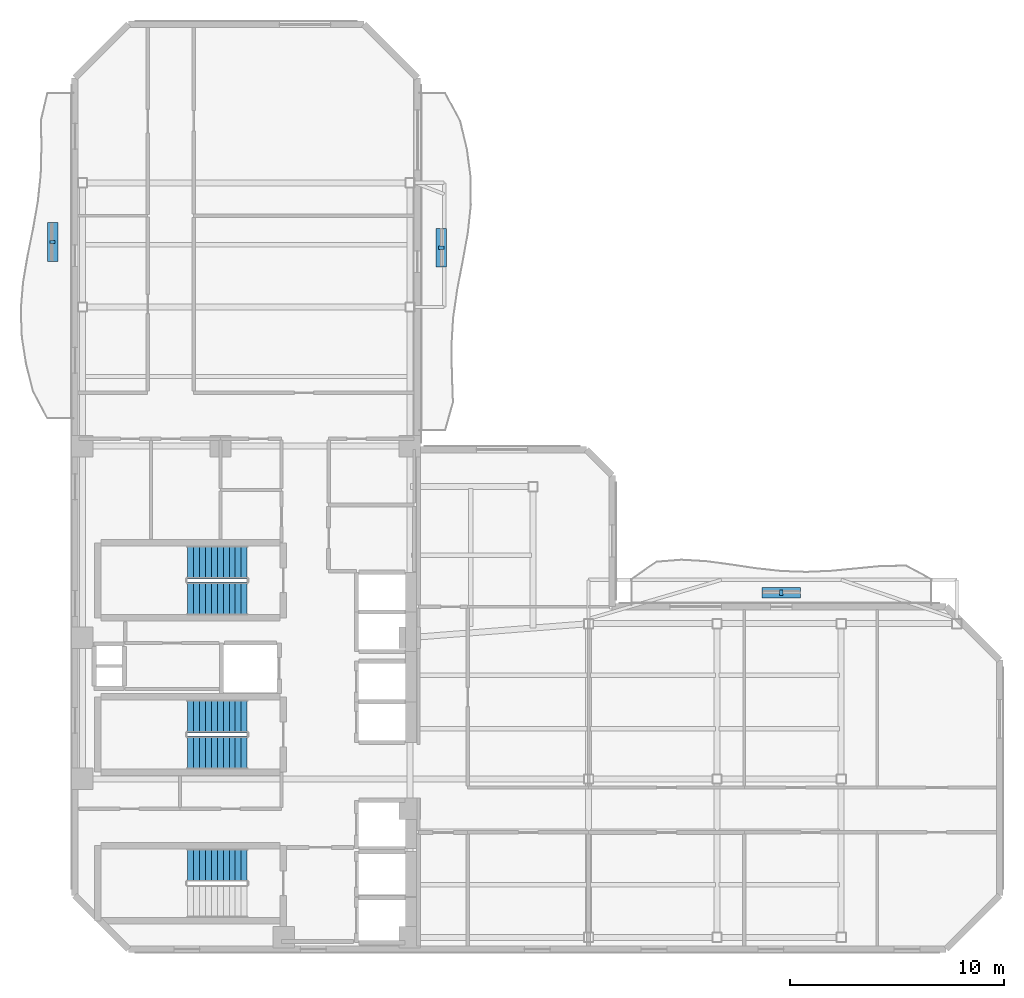
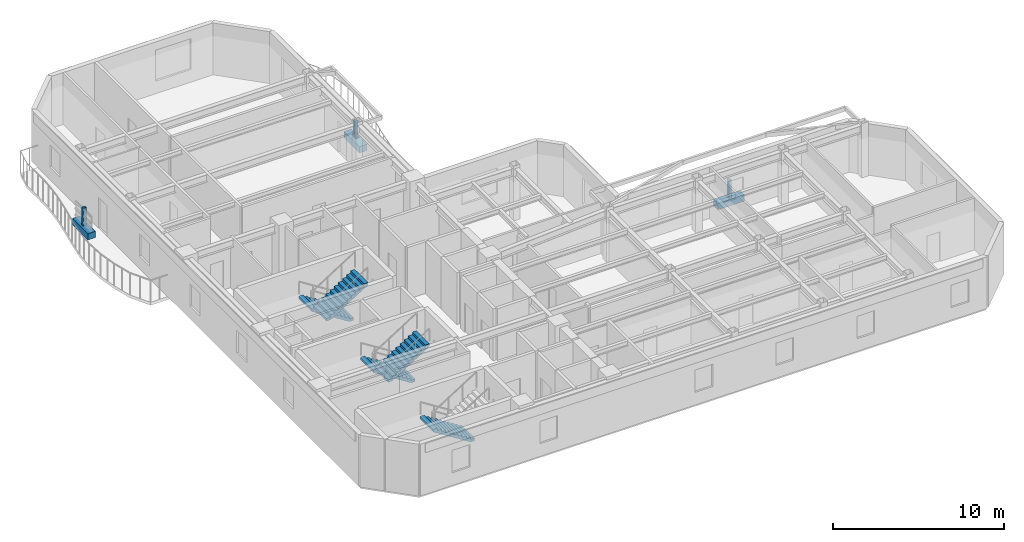
# One storey, part 6 of 13: 6 discrete accessories, 5 stair flights, 3 elements without a shape of their own.
"""IFC4 building model written with IfcOpenShell, lengths in metres."""

from ifc_helpers import new_model, si_unit, direction, frame, origin, origin_2d, place, context, subcontext, project, spatial, polyline, rectangle, outline, extrude, material, type_object, element, aggregate, save


model = new_model("IFC4")

# Units and contexts
model_context = context("Model", 3, precision=1e-05, world=origin(), true_north=direction((0.0, 1.0)))
body_context = subcontext(model_context, "Body", "Model", "MODEL_VIEW")
ifc_project = project(units=[si_unit("LENGTHUNIT", "METRE"), si_unit("AREAUNIT", "SQUARE_METRE"), si_unit("VOLUMEUNIT", "CUBIC_METRE"), si_unit("PLANEANGLEUNIT", "RADIAN"), si_unit("MASSUNIT", "GRAM", prefix="KILO")], contexts=[model_context])

# Site, building, storey
site_placement = place(None, origin())
site = spatial("IfcSite", under=ifc_project, at=site_placement, CompositionType="ELEMENT")
building_placement = place(site_placement, origin())
building = spatial("IfcBuilding", under=site, at=building_placement, Name="Mawjaban Terraces University", CompositionType="ELEMENT")
storey_placement = place(building_placement, frame((0.0, 0.0, 199.199951171875)))
storey = spatial("IfcBuildingStorey", under=building, at=storey_placement, Name="L48", CompositionType="ELEMENT", Elevation=199.199951171875)

# Stair, stair flight
ifc_material_1 = material(Name="Concrete C40/50", Category="concrete")
stair_type = type_object("IfcStairType", Name="Stair_Core1550_H39", PredefinedType="HALF_TURN_STAIR", material=ifc_material_1)
stair_1_placement = place(storey_placement, origin())
stair_1 = element("IfcStair", 1, at=stair_1_placement, inside=storey, type_object=stair_type, Name="L48 Core Exit Stair 1", PredefinedType="HALF_TURN_STAIR")
stair_flight_type = type_object("IfcStairFlightType", Name="Flight_Core1550_H39", PredefinedType="STRAIGHT", material=ifc_material_1)
stair_flight_1_placement = place(storey_placement, frame((30.050048828125, 3.925048828125, 0.0), z_axis=(0.0, 0.0, 1.0), x_axis=(-1.0, 0.0, 0.0)))
stair_flight_1 = element("IfcStairFlight", 2, at=stair_flight_1_placement, type_object=stair_flight_type, Name="ST-1 flight 1", NumberOfRisers=11, NumberOfTreads=10, PredefinedType="STRAIGHT", RiserHeight=0.177272727, TreadLength=0.28, context=body_context, shape_type="SweptSolid", body=[
    extrude(outline(polyline([(0.0, 0.0), (0.0, 0.17724609375), (0.280029296875, 0.17724609375), (0.280029296875, 0.3544921875), (0.56005859375, 0.3544921875), (0.56005859375, 0.53173828125), (0.840087890625, 0.53173828125), (0.840087890625, 0.708984375), (1.1201171875, 0.708984375), (1.1201171875, 0.886474609375), (1.39990234375, 0.886474609375), (1.39990234375, 1.063720703125), (1.679931640625, 1.063720703125), (1.679931640625, 1.240966796875), (1.9599609375, 1.240966796875), (1.9599609375, 1.418212890625), (2.239990234375, 1.418212890625), (2.239990234375, 1.595458984375), (2.52001953125, 1.595458984375), (2.52001953125, 1.772705078125), (2.800048828125, 1.772705078125), (2.800048828125, 1.949951171875), (2.800048828125, 1.59521484375), (0.2802734375, 0.0), (0.0, 0.0)])), frame((0.0, 0.77490234375, 0.0), z_axis=(0.0, -1.0, 0.0), x_axis=(1.0, 0.0, 0.0)), (0.0, 0.0, 1.0), 1.550048828125),
])
aggregate(stair_1, [stair_flight_1])

# Stair, stair flights
stair_2_placement = place(storey_placement, origin())
stair_2 = element("IfcStair", 3, at=stair_2_placement, inside=storey, type_object=stair_type, Name="L48 Core Exit Stair 2", PredefinedType="HALF_TURN_STAIR")
stair_flight_2_placement = place(storey_placement, frame((30.050048828125, 18.074951171875, 0.0), z_axis=(0.0, 0.0, 1.0), x_axis=(-1.0, 0.0, 0.0)))
stair_flight_2 = element("IfcStairFlight", 4, at=stair_flight_2_placement, type_object=stair_flight_type, Name="ST-2 flight 1", NumberOfRisers=11, NumberOfTreads=10, PredefinedType="STRAIGHT", RiserHeight=0.177272727, TreadLength=0.28, context=body_context, shape_type="SweptSolid", body=[
    extrude(outline(polyline([(0.0, 0.0), (0.0, 0.17724609375), (0.280029296875, 0.17724609375), (0.280029296875, 0.3544921875), (0.56005859375, 0.3544921875), (0.56005859375, 0.53173828125), (0.840087890625, 0.53173828125), (0.840087890625, 0.708984375), (1.1201171875, 0.708984375), (1.1201171875, 0.886474609375), (1.39990234375, 0.886474609375), (1.39990234375, 1.063720703125), (1.679931640625, 1.063720703125), (1.679931640625, 1.240966796875), (1.9599609375, 1.240966796875), (1.9599609375, 1.418212890625), (2.239990234375, 1.418212890625), (2.239990234375, 1.595458984375), (2.52001953125, 1.595458984375), (2.52001953125, 1.772705078125), (2.800048828125, 1.772705078125), (2.800048828125, 1.949951171875), (2.800048828125, 1.59521484375), (0.2802734375, 0.0), (0.0, 0.0)])), frame((0.0, 0.77490234375, 0.0), z_axis=(0.0, -1.0, 0.0), x_axis=(1.0, 0.0, 0.0)), (0.0, 0.0, 1.0), 1.550048828125),
])
stair_flight_3_placement = place(storey_placement, frame((27.25, 16.375, 1.949951171875), z_axis=(0.0, 0.0, 1.0), x_axis=(1.0, 0.0, 0.0)))
stair_flight_3 = element("IfcStairFlight", 5, at=stair_flight_3_placement, type_object=stair_flight_type, Name="ST-2 flight 2", NumberOfRisers=11, NumberOfTreads=10, PredefinedType="STRAIGHT", RiserHeight=0.177272727, TreadLength=0.28, context=body_context, shape_type="SweptSolid", body=[
    extrude(outline(polyline([(0.0, 0.0), (0.0, 0.17724609375), (0.280029296875, 0.17724609375), (0.280029296875, 0.3544921875), (0.56005859375, 0.3544921875), (0.56005859375, 0.53173828125), (0.840087890625, 0.53173828125), (0.840087890625, 0.708984375), (1.1201171875, 0.708984375), (1.1201171875, 0.886474609375), (1.39990234375, 0.886474609375), (1.39990234375, 1.063720703125), (1.679931640625, 1.063720703125), (1.679931640625, 1.240966796875), (1.9599609375, 1.240966796875), (1.9599609375, 1.418212890625), (2.239990234375, 1.418212890625), (2.239990234375, 1.595458984375), (2.52001953125, 1.595458984375), (2.52001953125, 1.772705078125), (2.800048828125, 1.772705078125), (2.800048828125, 1.949951171875), (2.800048828125, 1.59521484375), (0.2802734375, 0.0), (0.0, 0.0)])), frame((0.0, 0.77490234375, 0.0), z_axis=(0.0, -1.0, 0.0), x_axis=(1.0, 0.0, 0.0)), (0.0, 0.0, 1.0), 1.550048828125),
])
aggregate(stair_2, [stair_flight_2, stair_flight_3])

stair_3_placement = place(storey_placement, origin())
stair_3 = element("IfcStair", 6, at=stair_3_placement, inside=storey, type_object=stair_type, Name="L48 Core Exit Stair 3", PredefinedType="HALF_TURN_STAIR")
stair_flight_4_placement = place(storey_placement, frame((30.050048828125, 10.875, 0.0), z_axis=(0.0, 0.0, 1.0), x_axis=(-1.0, 0.0, 0.0)))
stair_flight_4 = element("IfcStairFlight", 7, at=stair_flight_4_placement, type_object=stair_flight_type, Name="ST-3 flight 1", NumberOfRisers=11, NumberOfTreads=10, PredefinedType="STRAIGHT", RiserHeight=0.177272727, TreadLength=0.28, context=body_context, shape_type="SweptSolid", body=[
    extrude(outline(polyline([(0.0, 0.0), (0.0, 0.17724609375), (0.280029296875, 0.17724609375), (0.280029296875, 0.3544921875), (0.56005859375, 0.3544921875), (0.56005859375, 0.53173828125), (0.840087890625, 0.53173828125), (0.840087890625, 0.708984375), (1.1201171875, 0.708984375), (1.1201171875, 0.886474609375), (1.39990234375, 0.886474609375), (1.39990234375, 1.063720703125), (1.679931640625, 1.063720703125), (1.679931640625, 1.240966796875), (1.9599609375, 1.240966796875), (1.9599609375, 1.418212890625), (2.239990234375, 1.418212890625), (2.239990234375, 1.595458984375), (2.52001953125, 1.595458984375), (2.52001953125, 1.772705078125), (2.800048828125, 1.772705078125), (2.800048828125, 1.949951171875), (2.800048828125, 1.59521484375), (0.2802734375, 0.0), (0.0, 0.0)])), frame((0.0, 0.77490234375, 0.0), z_axis=(0.0, -1.0, 0.0), x_axis=(1.0, 0.0, 0.0)), (0.0, 0.0, 1.0), 1.550048828125),
])
stair_flight_5_placement = place(storey_placement, frame((27.25, 9.175048828125, 1.949951171875), z_axis=(0.0, 0.0, 1.0), x_axis=(1.0, 0.0, 0.0)))
stair_flight_5 = element("IfcStairFlight", 8, at=stair_flight_5_placement, type_object=stair_flight_type, Name="ST-3 flight 2", NumberOfRisers=11, NumberOfTreads=10, PredefinedType="STRAIGHT", RiserHeight=0.177272727, TreadLength=0.28, context=body_context, shape_type="SweptSolid", body=[
    extrude(outline(polyline([(0.0, 0.0), (0.0, 0.17724609375), (0.280029296875, 0.17724609375), (0.280029296875, 0.3544921875), (0.56005859375, 0.3544921875), (0.56005859375, 0.53173828125), (0.840087890625, 0.53173828125), (0.840087890625, 0.708984375), (1.1201171875, 0.708984375), (1.1201171875, 0.886474609375), (1.39990234375, 0.886474609375), (1.39990234375, 1.063720703125), (1.679931640625, 1.063720703125), (1.679931640625, 1.240966796875), (1.9599609375, 1.240966796875), (1.9599609375, 1.418212890625), (2.239990234375, 1.418212890625), (2.239990234375, 1.595458984375), (2.52001953125, 1.595458984375), (2.52001953125, 1.772705078125), (2.800048828125, 1.772705078125), (2.800048828125, 1.949951171875), (2.800048828125, 1.59521484375), (0.2802734375, 0.0), (0.0, 0.0)])), frame((0.0, 0.77490234375, 0.0), z_axis=(0.0, -1.0, 0.0), x_axis=(1.0, 0.0, 0.0)), (0.0, 0.0, 1.0), 1.550048828125),
])
aggregate(stair_3, [stair_flight_4, stair_flight_5])

# Discrete accessories
ifc_material_2 = material(Name="Stainless steel 316L", Category="steel")
discrete_accessory_type_1 = type_object("IfcDiscreteAccessoryType", Name="FacadeScreenBracket_Steel", PredefinedType="BRACKET", material=ifc_material_2)
for number, where, z_axis, x_axis, name in (
    (9, (20.9580078125, 33.033935546875, 0.419921875), (0.0, 0.0, 1.0), (0.0, 1.0, 0.0), "L48 Balcony Screen Support Bracket west"),
    (10, (55.0, 16.64501953125, 0.419921875), (0.0, 0.0, 1.0), (1.0, 0.0, 0.0), "L48 Balcony Screen Support Bracket inner_north"),
    (11, (39.114990234375, 32.77392578125, 0.419921875), (0.0, 0.0, 1.0), (0.0, 1.0, 0.0), "L48 Balcony Screen Support Bracket inner_east"),
):
    element("IfcDiscreteAccessory", number, at=place(storey_placement, frame(where, z_axis=z_axis, x_axis=x_axis)), inside=storey, type_object=discrete_accessory_type_1, Name=name, PredefinedType="BRACKET", context=body_context, shape_type="SweptSolid", body=[
        extrude(rectangle(XDim=0.159912109375, YDim=0.239990234375, at=origin_2d()), origin(), (0.0, 0.0, 1.0), 1.300048828125),
    ])
ifc_material_3 = material(Name="Precast architectural terracotta planter with engineered planting soil", Category="masonry")
discrete_accessory_type_2 = type_object("IfcDiscreteAccessoryType", Name="IrrigatedPlanterTrough_450", PredefinedType="USERDEFINED", material=ifc_material_3)
for number, where, z_axis, x_axis, name in (
    (12, (20.9580078125, 33.033935546875, -0.0048828125), (0.0, 0.0, 1.0), (0.0, 1.0, 0.0), "L48 Balcony Irrigated Planter west"),
    (13, (55.0, 16.64501953125, -0.0048828125), (0.0, 0.0, 1.0), (1.0, 0.0, 0.0), "L48 Balcony Irrigated Planter inner_north"),
    (14, (39.114990234375, 32.77392578125, -0.0048828125), (0.0, 0.0, 1.0), (0.0, 1.0, 0.0), "L48 Balcony Irrigated Planter inner_east"),
):
    element("IfcDiscreteAccessory", number, at=place(storey_placement, frame(where, z_axis=z_axis, x_axis=x_axis)), inside=storey, type_object=discrete_accessory_type_2, Name=name, ObjectType="PLANTER", PredefinedType="USERDEFINED", context=body_context, shape_type="SweptSolid", body=[
        extrude(rectangle(XDim=1.800048828125, YDim=0.5, at=origin_2d()), origin(), (0.0, 0.0, 1.0), 0.449951171875),
    ])

save(model, "model.ifc")
